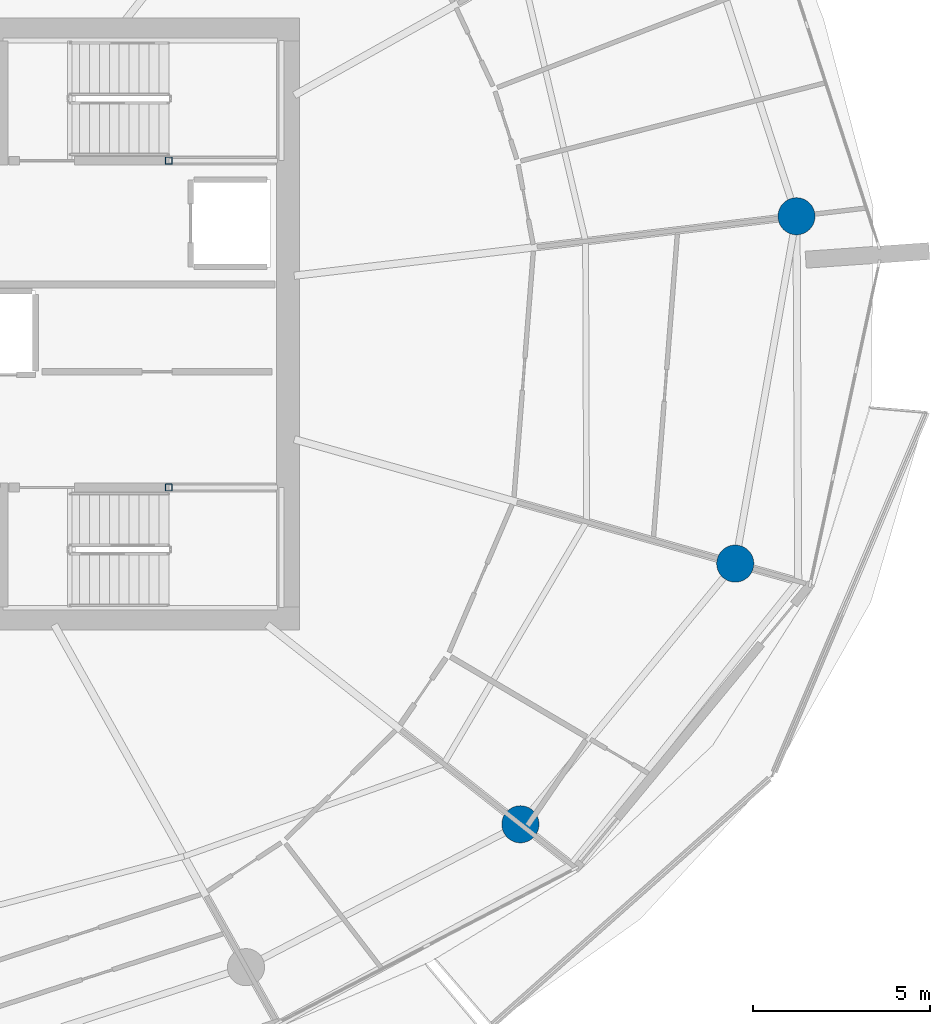
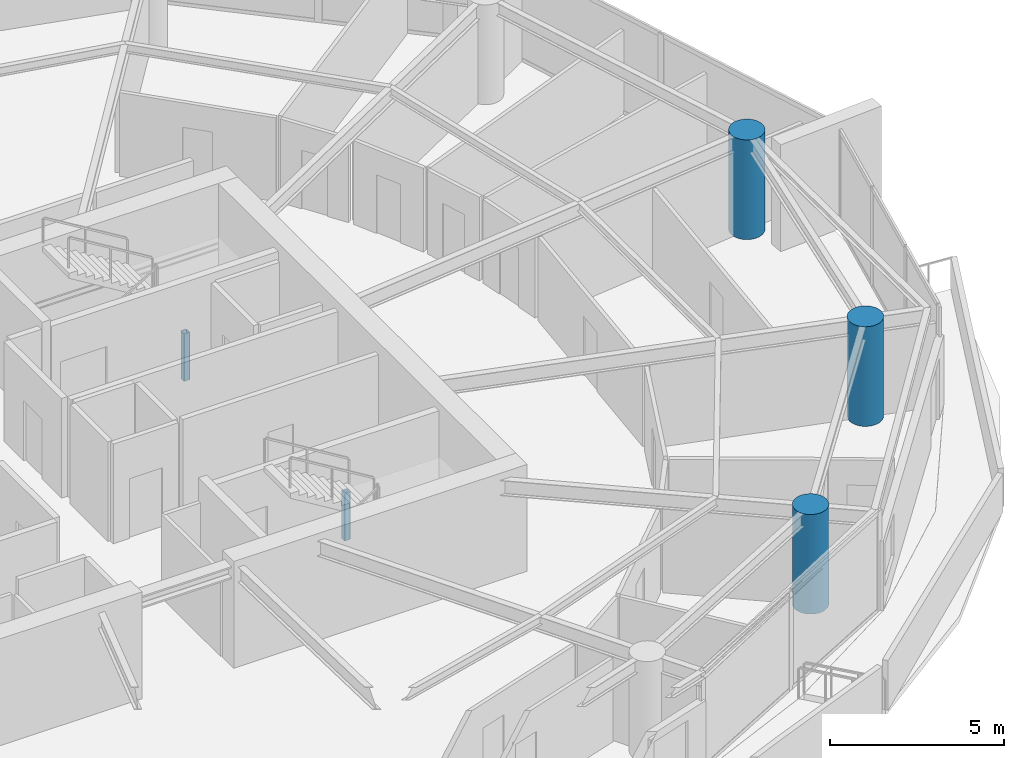
# One storey, part 3 of 21: 5 columns.
"""IFC4 building model written with IfcOpenShell, lengths in metres."""

from ifc_helpers import new_model, si_unit, direction, frame, origin, origin_2d, place, context, subcontext, project, spatial, hollow_rectangle, circle, extrude, material, material_profile, profile_set, type_object, element, save


model = new_model("IFC4")

# Units and contexts
model_context = context("Model", 3, precision=1e-05, world=origin(), true_north=direction((0.0, 1.0)))
body_context = subcontext(model_context, "Body", "Model", "MODEL_VIEW")
ifc_project = project(units=[si_unit("LENGTHUNIT", "METRE"), si_unit("AREAUNIT", "SQUARE_METRE"), si_unit("VOLUMEUNIT", "CUBIC_METRE"), si_unit("PLANEANGLEUNIT", "RADIAN"), si_unit("MASSUNIT", "GRAM", prefix="KILO")], contexts=[model_context])

# Site, building, storey
site_placement = place(None, origin())
site = spatial("IfcSite", under=ifc_project, at=site_placement, CompositionType="ELEMENT")
building_placement = place(site_placement, origin())
building = spatial("IfcBuilding", under=site, at=building_placement, Name="Kazma Halo Residences", CompositionType="ELEMENT")
storey_placement = place(building_placement, frame((0.0, 0.0, 195.300048828125)))
storey = spatial("IfcBuildingStorey", under=building, at=storey_placement, Name="L49", CompositionType="ELEMENT", Elevation=195.300048828125)

# Columns
ifc_material_1 = material(Name="Steel S355", Category="steel")
ifc_material_profile_1 = material_profile(ifc_material_1, hollow_rectangle(XDim=0.199951171875, YDim=0.199951171875, WallThickness=0.010009765625, InnerFilletRadius=0.010009765625, OuterFilletRadius=0.02001953125, at=origin_2d()), Name="SHS200x200x10")
ifc_profile_set_1 = profile_set([ifc_material_profile_1], Name="Steel S355")
column_type_1 = type_object("IfcColumnType", Name="COL-LP-SHS200", PredefinedType="COLUMN", material=ifc_profile_set_1)
for number, where, z_axis, x_axis, name in (
    (1, (56.0, 46.6201171875, 0.0), (0.0, 0.0, 1.0), (1.0, 0.0, 0.0), "L49 ST-02 landing pilaster 1"),
    (2, (56.0, 37.3798828125, 0.0), (0.0, 0.0, 1.0), (1.0, 0.0, 0.0), "L49 ST-03 landing pilaster 1"),
):
    element("IfcColumn", number, at=place(storey_placement, frame(where, z_axis=z_axis, x_axis=x_axis)), inside=storey, type_object=column_type_1, Name=name, PredefinedType="COLUMN", context=body_context, shape_type="SweptSolid", body=[
        extrude(hollow_rectangle(XDim=0.199951171875, YDim=0.199951171875, WallThickness=0.010009765625, InnerFilletRadius=0.010009765625, OuterFilletRadius=0.02001953125, at=origin_2d()), origin(), (0.0, 0.0, 1.0), 1.669921875),
    ])
ifc_material_2 = material(Name="Concrete C80/95", Category="concrete")
ifc_material_profile_2 = material_profile(ifc_material_2, circle(Radius=0.52490234375, at=origin_2d()), Name="CIRC1050")
ifc_profile_set_2 = profile_set([ifc_material_profile_2], Name="Concrete C80/95")
column_type_2 = type_object("IfcColumnType", Name="COL-PERIM-1050", PredefinedType="COLUMN", material=ifc_profile_set_2)
for number, where, z_axis, x_axis, name in (
    (3, (65.944091796875, 27.85400390625, 0.0), (0.0, 0.0, 1.0), (1.0, 0.0, 0.0), "L49 perimeter ring column P14"),
    (4, (72.019775390625, 35.2255859375, 0.0), (0.0, 0.0, 1.0), (1.0, 0.0, 0.0), "L49 perimeter ring column P15"),
    (5, (73.751708984375, 45.0478515625, 0.0), (0.0, 0.0, 1.0), (1.0, 0.0, 0.0), "L49 perimeter ring column P16"),
):
    element("IfcColumn", number, at=place(storey_placement, frame(where, z_axis=z_axis, x_axis=x_axis)), inside=storey, type_object=column_type_2, Name=name, PredefinedType="COLUMN", context=body_context, shape_type="SweptSolid", body=[
        extrude(circle(Radius=0.52490234375, at=origin_2d()), origin(), (0.0, 0.0, 1.0), 3.5),
    ])

save(model, "model.ifc")
